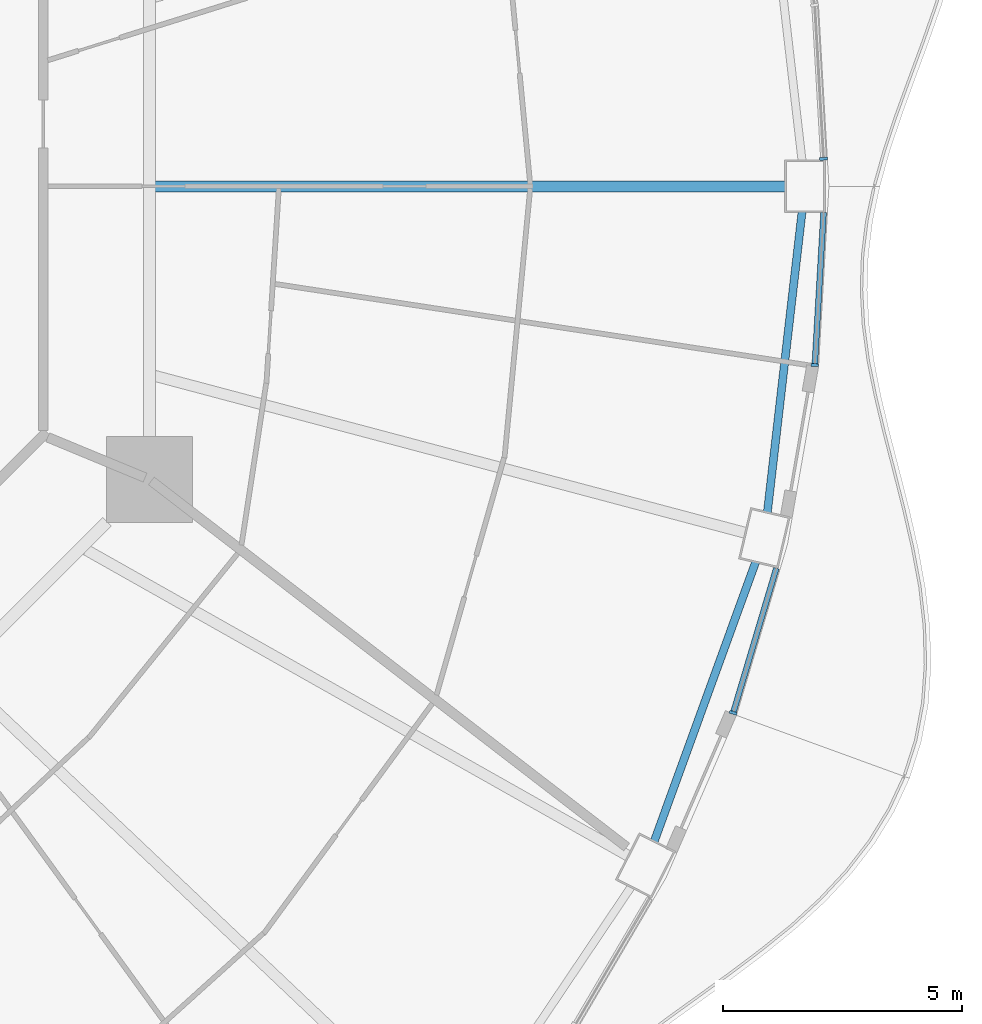
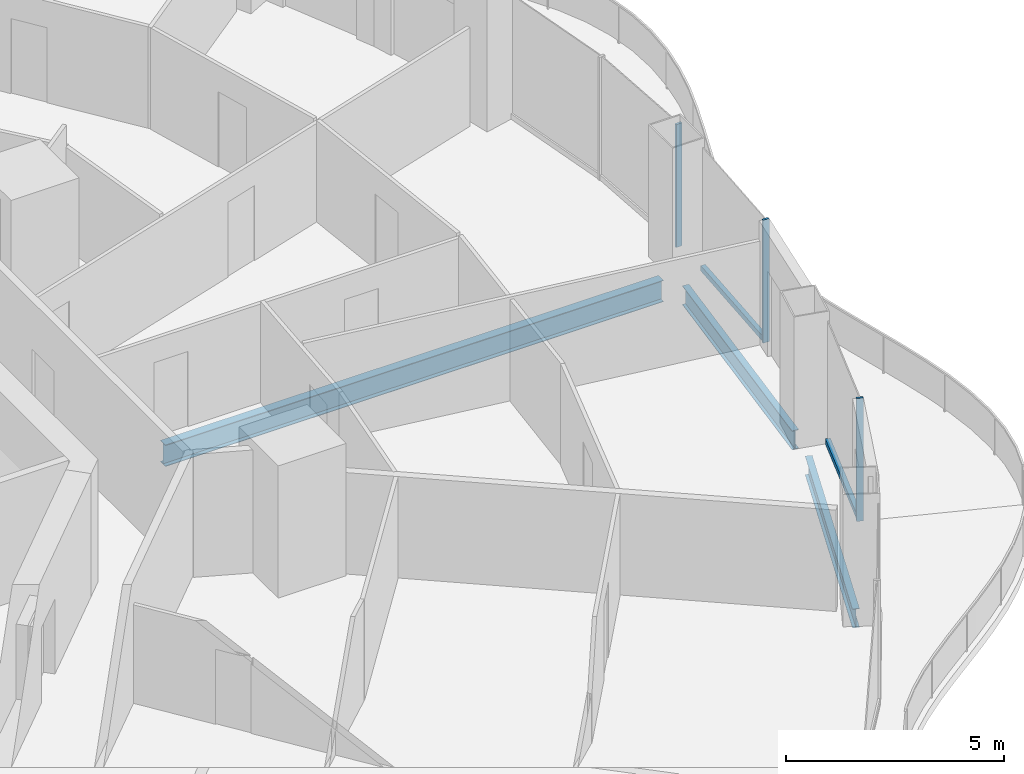
# One storey, part 5 of 19: 5 members, 3 beams, 3 elements without a shape of their own.
"""IFC4 building model written with IfcOpenShell, lengths in metres."""

from ifc_helpers import new_model, si_unit, direction, frame, origin, origin_2d, place, context, subcontext, project, spatial, rectangle, i_section, extrude, material, layer, layer_set, material_profile, profile_set, type_object, element, aggregate, save


model = new_model("IFC4")

# Units and contexts
model_context = context("Model", 3, precision=1e-05, world=origin(), true_north=direction((0.0, 1.0)))
body_context = subcontext(model_context, "Body", "Model", "MODEL_VIEW")
ifc_project = project(units=[si_unit("LENGTHUNIT", "METRE"), si_unit("AREAUNIT", "SQUARE_METRE"), si_unit("VOLUMEUNIT", "CUBIC_METRE"), si_unit("PLANEANGLEUNIT", "RADIAN"), si_unit("MASSUNIT", "GRAM", prefix="KILO")], contexts=[model_context])

# Site, building, storey
site_placement = place(None, origin())
site = spatial("IfcSite", under=ifc_project, at=site_placement, CompositionType="ELEMENT")
building_placement = place(site_placement, origin())
building = spatial("IfcBuilding", under=site, at=building_placement, Name="Nagisa Residences", CompositionType="ELEMENT")
storey_placement = place(building_placement, frame((0.0, 0.0, 169.60009765625)))
storey = spatial("IfcBuildingStorey", under=building, at=storey_placement, Name="L42", CompositionType="ELEMENT", Elevation=169.60009765625)

# Curtain wall, member
ifc_material_1 = material(Name="Concrete-coloured aluminium curtain wall system", Category="concrete")
ifc_layer = layer(ifc_material_1, 0.159912109375)
ifc_layer_set = layer_set([ifc_layer], Name="CW1 CURTAIN WALL")
curtain_wall_type = type_object("IfcCurtainWallType", Name="CW1 CURTAIN WALL", PredefinedType="NOTDEFINED", material=ifc_layer_set)
curtain_wall_1_placement = place(storey_placement, origin())
curtain_wall_1 = element("IfcCurtainWall", 1, at=curtain_wall_1_placement, inside=storey, type_object=curtain_wall_type, Name="cw:CW1:L42:00", PredefinedType="NOTDEFINED")
ifc_material_2 = material(Name="Concrete-coloured aluminium", Category="concrete")
ifc_material_profile_1 = material_profile(ifc_material_2, rectangle(XDim=0.159912109375, YDim=0.06005859375, at=origin_2d()), Name="CW1 MULLION 160x60")
ifc_profile_set_1 = profile_set([ifc_material_profile_1], Name="Concrete-coloured aluminium")
member_type_1 = type_object("IfcMemberType", Name="CW1 MULLION 160x60", PredefinedType="MULLION", material=ifc_profile_set_1)
member_1_placement = place(storey_placement, frame((28.86181640625, 0.574462890625, 0.0), z_axis=(0.0, 0.0, 1.0), x_axis=(-0.998345305184, -0.057503492216, 0.0)))
member_1 = element("IfcMember", 2, at=member_1_placement, type_object=member_type_1, Name="CW1 mullion", PredefinedType="MULLION", context=body_context, shape_type="SweptSolid", body=[
    extrude(rectangle(XDim=0.159912109375, YDim=0.06005859375, at=origin_2d()), origin(), (0.0, 0.0, 1.0), 3.43994140625),
])
aggregate(curtain_wall_1, [member_1])

curtain_wall_2_placement = place(storey_placement, origin())
curtain_wall_2 = element("IfcCurtainWall", 3, at=curtain_wall_2_placement, inside=storey, type_object=curtain_wall_type, Name="cw:CW1:L42:45", PredefinedType="NOTDEFINED")
member_2_placement = place(storey_placement, frame((26.975341796875, -10.998291015625, 0.0), z_axis=(0.0, 0.0, 1.0), x_axis=(-0.958271310082, 0.285860274038, 0.0)))
member_2 = element("IfcMember", 4, at=member_2_placement, type_object=member_type_1, Name="CW1 mullion", PredefinedType="MULLION", context=body_context, shape_type="SweptSolid", body=[
    extrude(rectangle(XDim=0.159912109375, YDim=0.06005859375, at=origin_2d()), origin(), (0.0, 0.0, 1.0), 3.43994140625),
])

curtain_wall_3_placement = place(storey_placement, origin())
curtain_wall_3 = element("IfcCurtainWall", 5, at=curtain_wall_3_placement, inside=storey, type_object=curtain_wall_type, Name="cw:CW1:L42:47", PredefinedType="NOTDEFINED")
member_3_placement = place(storey_placement, frame((28.6796875, -3.734375, 0.0), z_axis=(0.0, 0.0, 1.0), x_axis=(-0.998345305184, 0.057503492216, 0.0)))
member_3 = element("IfcMember", 6, at=member_3_placement, type_object=member_type_1, Name="CW1 mullion", PredefinedType="MULLION", context=body_context, shape_type="SweptSolid", body=[
    extrude(rectangle(XDim=0.159912109375, YDim=0.06005859375, at=origin_2d()), origin(), (0.0, 0.0, 1.0), 3.43994140625),
])

# Member
ifc_material_3 = material(Name="Concrete-coloured aluminium", Category="concrete")
ifc_material_profile_2 = material_profile(ifc_material_3, rectangle(XDim=0.1201171875, YDim=0.14990234375, at=origin_2d()), Name="CW1 TRANSOM 120x150")
ifc_profile_set_2 = profile_set([ifc_material_profile_2], Name="Concrete-coloured aluminium")
member_type_2 = type_object("IfcMemberType", Name="CW1 TRANSOM 120x150", PredefinedType="USERDEFINED", material=ifc_profile_set_2)
member_4_placement = place(storey_placement, frame((26.966796875, -11.027099609375, 0.074951171875), z_axis=(0.28584838049, 0.958274857946, 0.0), x_axis=(-0.958274857946, 0.28584838049, 0.0)))
member_4 = element("IfcMember", 7, at=member_4_placement, type_object=member_type_2, Name="CW1 transom", ObjectType="TRANSOM", PredefinedType="USERDEFINED", context=body_context, shape_type="SweptSolid", body=[
    extrude(rectangle(XDim=0.1201171875, YDim=0.14990234375, at=origin_2d()), origin(), (0.0, 0.0, 1.0), 3.182373046875),
])

aggregate(curtain_wall_2, [member_2, member_4])

member_5_placement = place(storey_placement, frame((28.677978515625, -3.764404296875, 0.074951171875), z_axis=(0.057528345118, 0.998343873376, 0.0), x_axis=(-0.998343873376, 0.057528345118, 0.0)))
member_5 = element("IfcMember", 8, at=member_5_placement, type_object=member_type_2, Name="CW1 transom", ObjectType="TRANSOM", PredefinedType="USERDEFINED", context=body_context, shape_type="SweptSolid", body=[
    extrude(rectangle(XDim=0.1201171875, YDim=0.14990234375, at=origin_2d()), origin(), (0.0, 0.0, 1.0), 3.225341796875),
])

aggregate(curtain_wall_3, [member_3, member_5])

# Beams
ifc_material_4 = material(Name="Steel ASTM A572 Gr 50", Category="steel")
ifc_material_profile_3 = material_profile(ifc_material_4, i_section(OverallWidth=0.166015625, OverallDepth=0.534912109375, WebThickness=0.01025390625, FlangeThickness=0.0166015625, at=origin_2d()), Name="W530x85")
ifc_profile_set_3 = profile_set([ifc_material_profile_3], Name="Steel ASTM A572 Gr 50")
beam_type_1 = type_object("IfcBeamType", Name="Perimeter ring beam W530x85", PredefinedType="BEAM", material=ifc_profile_set_3)
beam_1_placement = place(storey_placement, frame((25.32470703125, -13.685546875, -0.527587890625), z_axis=(0.341320243926, 0.939947068237, 0.0), x_axis=(-0.939947068237, 0.341320243926, 0.0)))
element("IfcBeam", 9, at=beam_1_placement, inside=storey, type_object=beam_type_1, Name="beam:L42:pb23", PredefinedType="BEAM", context=body_context, shape_type="SweptSolid", body=[
    extrude(i_section(OverallWidth=0.166015625, OverallDepth=0.534912109375, WebThickness=0.01025390625, FlangeThickness=0.0166015625, at=origin_2d()), origin(), (0.0, 0.0, 1.0), 6.212890625),
])
beam_2_placement = place(storey_placement, frame((27.688720703125, -6.813720703125, -0.527587890625), z_axis=(0.11463289794, 0.993407921606, 0.0), x_axis=(-0.993407921606, 0.11463289794, 0.0)))
element("IfcBeam", 10, at=beam_2_placement, inside=storey, type_object=beam_type_1, Name="beam:L42:pb24", PredefinedType="BEAM", context=body_context, shape_type="SweptSolid", body=[
    extrude(i_section(OverallWidth=0.166015625, OverallDepth=0.534912109375, WebThickness=0.01025390625, FlangeThickness=0.0166015625, at=origin_2d()), origin(), (0.0, 0.0, 1.0), 6.325439453125),
])
ifc_material_5 = material(Name="Steel ASTM A572 Gr 50", Category="steel")
ifc_material_profile_4 = material_profile(ifc_material_5, i_section(OverallWidth=0.22802734375, OverallDepth=0.60302734375, WebThickness=0.010498046875, FlangeThickness=0.014892578125, at=origin_2d()), Name="W610x101")
ifc_profile_set_4 = profile_set([ifc_material_profile_4], Name="Steel ASTM A572 Gr 50")
beam_type_2 = type_object("IfcBeamType", Name="Radial beam W610x101", PredefinedType="BEAM", material=ifc_profile_set_4)
beam_3_placement = place(storey_placement, frame((28.070068359375, 0.0, -0.5615234375), z_axis=(-1.0, 0.0, 0.0), x_axis=(0.0, -1.0, 0.0)))
element("IfcBeam", 11, at=beam_3_placement, inside=storey, type_object=beam_type_2, Name="beam:L42:rb01", PredefinedType="BEAM", context=body_context, shape_type="SweptSolid", body=[
    extrude(i_section(OverallWidth=0.22802734375, OverallDepth=0.60302734375, WebThickness=0.010498046875, FlangeThickness=0.014892578125, at=origin_2d()), origin(), (0.0, 0.0, 1.0), 13.180908203125),
])

save(model, "model.ifc")
